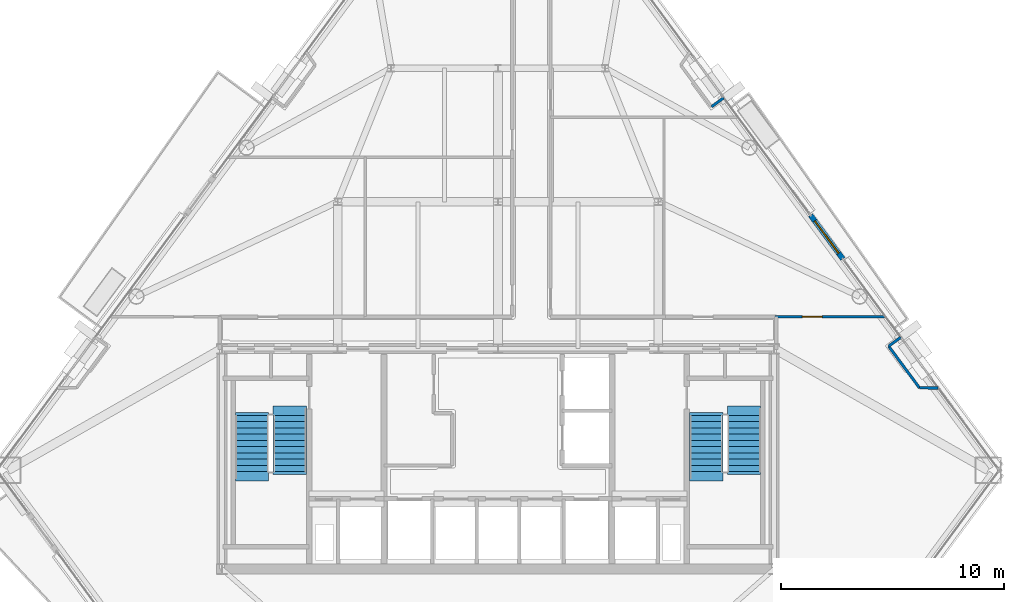
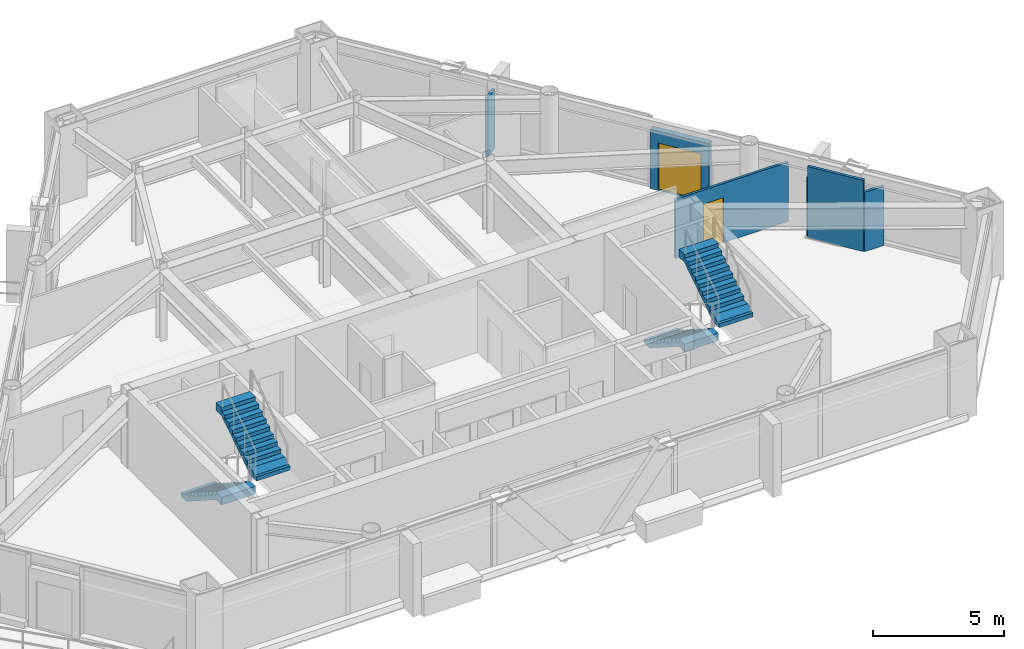
# One storey, part 9 of 11: 6 walls, 4 stair flights, 2 doors, 2 openings, 2 elements without a shape of their own.
"""IFC4 building model written with IfcOpenShell, lengths in metres."""

from ifc_helpers import new_model, si_unit, direction, frame, frame_2d, origin, place, context, subcontext, project, spatial, polyline, rectangle, outline, extrude, material, layer, layer_set, type_object, element, fill, aggregate, save


model = new_model("IFC4")

# Units and contexts
model_context = context("Model", 3, precision=1e-05, world=origin(), true_north=direction((0.0, 1.0)))
body_context = subcontext(model_context, "Body", "Model", "MODEL_VIEW")
ifc_project = project(units=[si_unit("LENGTHUNIT", "METRE"), si_unit("AREAUNIT", "SQUARE_METRE"), si_unit("VOLUMEUNIT", "CUBIC_METRE"), si_unit("PLANEANGLEUNIT", "RADIAN"), si_unit("MASSUNIT", "GRAM", prefix="KILO")], contexts=[model_context])

# Site, building, storey
site_placement = place(None, origin())
site = spatial("IfcSite", under=ifc_project, at=site_placement, CompositionType="ELEMENT")
building_placement = place(site_placement, origin())
building = spatial("IfcBuilding", under=site, at=building_placement, Name="Talgorran Terracotta Tower", CompositionType="ELEMENT")
storey_placement = place(building_placement, frame((0.0, 0.0, 114.0)))
storey = spatial("IfcBuildingStorey", under=building, at=storey_placement, Name="L29", CompositionType="ELEMENT", Elevation=114.0)

# Wall, opening, door
ifc_material_1 = material(Name="Concrete C40/50", Category="concrete")
ifc_layer_1 = layer(ifc_material_1, 0.239990234375, Name="WT_BALCONY_SPAND")
ifc_layer_set_1 = layer_set([ifc_layer_1], Name="Concrete C40/50")
wall_type_1 = type_object("IfcWallType", Name="WT_BALCONY_SPAND", PredefinedType="STANDARD", material=ifc_layer_set_1)
wall_1_placement = place(storey_placement, frame((15.492919921875, -0.166259765625, -0.014892578125), z_axis=(0.0, 0.0, 1.0), x_axis=(-0.594655490218, 0.803980626603, 0.0)))
wall_1 = element("IfcWall", 1, at=wall_1_placement, inside=storey, type_object=wall_type_1, Name="WL-L29-BALP-BAL-NE", PredefinedType="STANDARD", context=body_context, shape_type="SweptSolid", body=[
    extrude(rectangle(XDim=2.43994140625, YDim=0.239990234375, at=frame_2d((1.219970703125, 0.0))), origin(), (0.0, 0.0, 1.0), 2.77685546875),
])
opening_1_placement = place(wall_1_placement, frame((0.320068359375, 0.0, 0.014892578125)))
opening_1 = element("IfcOpeningElement", 2, at=opening_1_placement, cuts=wall_1, Name="Opening D-BAL-L29-1", PredefinedType="OPENING", context=body_context, shape_type="SweptSolid", body=[
    extrude(rectangle(XDim=1.806048828125, YDim=2.203951171875, at=frame_2d((0.89990234375, 1.10205078125))), frame((0.0, 0.1298828125, 0.0), z_axis=(0.0, -1.0, 0.0), x_axis=(1.0, 0.0, 0.0)), (0.0, 0.0, 1.0), 0.260009765625),
])
ifc_material_2 = material(Name="Thermally Broken Aluminium", Category="aluminium")
door_type_1 = type_object("IfcDoorType", Name="DT_BALC_1800", OperationType="SLIDING_TO_LEFT", PredefinedType="DOOR", material=ifc_material_2)
door_1_placement = place(opening_1_placement, origin())
door_1 = element("IfcDoor", 3, at=door_1_placement, inside=storey, type_object=door_type_1, Name="DR-L29-BAL-BAL-NE", OperationType="SLIDING_TO_LEFT", OverallHeight=2.199951171875, OverallWidth=1.800048828125, PredefinedType="DOOR", context=body_context, shape_type="SweptSolid", body=[
    extrude(rectangle(XDim=1.800048828125, YDim=2.199951171875, at=frame_2d((0.89990234375, 1.10009765625))), frame((0.0, 0.02490234375, 0.0), z_axis=(0.0, -1.0, 0.0), x_axis=(1.0, 0.0, 0.0)), (0.0, 0.0, 1.0), 0.050048828125),
])
fill(opening_1, door_1)

ifc_material_3 = material(Name="Lightweight Steel Stud Partition", Category="steel")
ifc_layer_2 = layer(ifc_material_3, 0.10498046875, Name="WT_PART_110")
ifc_layer_set_2 = layer_set([ifc_layer_2], Name="Lightweight Steel Stud Partition")
wall_type_2 = type_object("IfcWallType", Name="WT_PART_110", PredefinedType="PARTITIONING", material=ifc_layer_set_2)
wall_2_placement = place(storey_placement, frame((12.43994140625, -2.760009765625, 0.0), z_axis=(0.0, 0.0, 1.0), x_axis=(1.0, 0.0, 0.0)))
wall_2 = element("IfcWall", 4, at=wall_2_placement, inside=storey, type_object=wall_type_2, Name="WL-L29-W-L29-R20", PredefinedType="PARTITIONING", context=body_context, shape_type="SweptSolid", body=[
    extrude(rectangle(XDim=4.971435546875, YDim=0.10498046875, at=frame_2d((2.48583984375, 0.0))), origin(), (0.0, 0.0, 1.0), 2.761962890625),
])
opening_2_placement = place(wall_2_placement, frame((1.237548828125, 0.0, 0.0)))
opening_2 = element("IfcOpeningElement", 5, at=opening_2_placement, cuts=wall_2, Name="Opening DR-L29-R08", PredefinedType="OPENING", context=body_context, shape_type="SweptSolid", body=[
    extrude(rectangle(XDim=0.8858828125, YDim=2.10409765625, at=frame_2d((0.43994140625, 1.052001953125))), frame((0.0, 0.0625, 0.0), z_axis=(0.0, -1.0, 0.0), x_axis=(1.0, 0.0, 0.0)), (0.0, 0.0, 1.0), 0.125),
])
ifc_material_4 = material(Name="Solid-Core Painted Timber", Category="wood")
door_type_2 = type_object("IfcDoorType", Name="DT_INT_880", OperationType="NOTDEFINED", PredefinedType="DOOR", material=ifc_material_4)
door_2_placement = place(opening_2_placement, origin())
door_2 = element("IfcDoor", 6, at=door_2_placement, inside=storey, type_object=door_type_2, Name="DR-L29-R08", OperationType="SINGLE_SWING_RIGHT", OverallHeight=2.10009765625, OverallWidth=0.8798828125, PredefinedType="DOOR", context=body_context, shape_type="SweptSolid", body=[
    extrude(rectangle(XDim=0.8798828125, YDim=2.10009765625, at=frame_2d((0.43994140625, 1.050048828125))), frame((0.0, 0.02490234375, 0.0), z_axis=(0.0, -1.0, 0.0), x_axis=(1.0, 0.0, 0.0)), (0.0, 0.0, 1.0), 0.050048828125),
])
fill(opening_2, door_2)

# Walls
ifc_material_5 = material(Name="Insulated Steel Stud Plasterboard", Category="steel")
ifc_layer_3 = layer(ifc_material_5, 0.1201171875, Name="WT_PART_120")
ifc_layer_set_3 = layer_set([ifc_layer_3], Name="Insulated Steel Stud Plasterboard")
wall_type_3 = type_object("IfcWallType", Name="WT_PART_120", PredefinedType="PARTITIONING", material=ifc_layer_set_3)
wall_3_placement = place(storey_placement, frame((18.9296875, -5.956298828125, 0.0), z_axis=(0.0, 0.0, 1.0), x_axis=(-0.594707185977, 0.803942387829, 0.0)))
element("IfcWall", 7, at=wall_3_placement, inside=storey, type_object=wall_type_3, Name="WL-L29-BW-L29-13", PredefinedType="PARTITIONING", context=body_context, shape_type="SweptSolid", body=[
    extrude(rectangle(XDim=2.3232421875, YDim=0.1201171875, at=frame_2d((1.16162109375, 0.0))), origin(), (0.0, 0.0, 1.0), 3.320068359375),
])
wall_4_placement = place(storey_placement, frame((19.771484375, -5.968017578125, 0.0), z_axis=(0.0, 0.0, 1.0), x_axis=(-0.999903115379, 0.013919764947, 0.0)))
element("IfcWall", 8, at=wall_4_placement, inside=storey, type_object=wall_type_3, Name="WL-L29-BW-L29-12", PredefinedType="PARTITIONING", context=body_context, shape_type="SweptSolid", body=[
    extrude(rectangle(XDim=0.841796875, YDim=0.1201171875, at=frame_2d((0.4208984375, 0.0))), origin(), (0.0, 0.0, 1.0), 2.761962890625),
])
wall_5_placement = place(storey_placement, frame((17.548095703125, -4.088623046875, 0.0), z_axis=(0.0, 0.0, 1.0), x_axis=(0.804047409182, 0.594565188847, 0.0)))
element("IfcWall", 9, at=wall_5_placement, inside=storey, type_object=wall_type_3, Name="WL-L29-BW-L29-11", PredefinedType="PARTITIONING", context=body_context, shape_type="SweptSolid", body=[
    extrude(rectangle(XDim=0.670166015625, YDim=0.1201171875, at=frame_2d((0.3349609375, 0.0))), origin(), (0.0, 0.0, 1.0), 2.761962890625),
])
wall_6_placement = place(storey_placement, frame((10.131591796875, 7.06591796875, 0.0), z_axis=(0.0, 0.0, 1.0), x_axis=(-0.803918563719, -0.594739390748, 0.0)))
element("IfcWall", 10, at=wall_6_placement, inside=storey, type_object=wall_type_3, Name="WL-L29-BW-L29-17", PredefinedType="PARTITIONING", context=body_context, shape_type="SweptSolid", body=[
    extrude(rectangle(XDim=0.669921875, YDim=0.1201171875, at=frame_2d((0.3349609375, 0.0))), origin(), (0.0, 0.0, 1.0), 2.761962890625),
])

# Stair, stair flights
stair_type = type_object("IfcStairType", Name="ST_FIRE_SCISSOR", PredefinedType="HALF_TURN_STAIR", material=ifc_material_1)
stair_1_placement = place(storey_placement, origin())
stair_1 = element("IfcStair", 11, at=stair_1_placement, inside=storey, type_object=stair_type, Name="L29 West Protected Fire Stair ST-01", PredefinedType="HALF_TURN_STAIR")
ifc_layer_4 = layer(ifc_material_1, 0.179931640625, Name="STF_RC_1500")
ifc_layer_set_4 = layer_set([ifc_layer_4], Name="Concrete C40/50")
stair_flight_type = type_object("IfcStairFlightType", Name="STF_RC_1500", PredefinedType="STRAIGHT", material=ifc_layer_set_4)
stair_flight_1_placement = place(storey_placement, frame((-11.050048828125, -7.199951171875, 0.0), z_axis=(0.0, 0.0, 1.0), x_axis=(0.0, -1.0, 0.0)))
stair_flight_1 = element("IfcStairFlight", 12, at=stair_flight_1_placement, type_object=stair_flight_type, Name="ST-01 flight 1", NumberOfRisers=10, NumberOfTreads=9, PredefinedType="STRAIGHT", RiserHeight=0.18, TreadLength=0.28, context=body_context, shape_type="SweptSolid", body=[
    extrude(outline(polyline([(-0.139892578125, 0.0), (-0.139892578125, 0.179931640625), (0.0, 0.179931640625), (0.280029296875, 0.360107421875), (0.56005859375, 0.360107421875), (0.56005859375, 0.5400390625), (0.840087890625, 0.5400390625), (0.840087890625, 0.719970703125), (1.1201171875, 0.719970703125), (1.1201171875, 0.89990234375), (1.39990234375, 0.89990234375), (1.39990234375, 1.080078125), (1.679931640625, 1.080078125), (1.679931640625, 1.260009765625), (1.9599609375, 1.260009765625), (1.9599609375, 1.43994140625), (2.239990234375, 1.43994140625), (2.239990234375, 1.6201171875), (2.52001953125, 1.6201171875), (2.52001953125, 1.800048828125), (2.93994140625, 1.800048828125), (2.93994140625, 1.44189453125), (2.52001953125, 1.44189453125), (0.277099609375, 0.0), (-0.139892578125, 0.0)])), frame((0.0, 0.75, 0.0), z_axis=(0.0, -1.0, 0.0), x_axis=(1.0, 0.0, 0.0)), (0.0, 0.0, 1.0), 1.5),
])
stair_flight_2_placement = place(storey_placement, frame((-9.35009765625, -9.719970703125, 1.800048828125), z_axis=(0.0, 0.0, 1.0), x_axis=(0.0, 1.0, 0.0)))
stair_flight_2 = element("IfcStairFlight", 13, at=stair_flight_2_placement, type_object=stair_flight_type, Name="ST-01 flight 2", NumberOfRisers=10, NumberOfTreads=9, PredefinedType="STRAIGHT", RiserHeight=0.18, TreadLength=0.28, context=body_context, shape_type="SweptSolid", body=[
    extrude(outline(polyline([(-0.139892578125, 0.0), (-0.139892578125, 0.179931640625), (0.0, 0.179931640625), (0.280029296875, 0.360107421875), (0.56005859375, 0.360107421875), (0.56005859375, 0.5400390625), (0.840087890625, 0.5400390625), (0.840087890625, 0.719970703125), (1.1201171875, 0.719970703125), (1.1201171875, 0.89990234375), (1.39990234375, 0.89990234375), (1.39990234375, 1.080078125), (1.679931640625, 1.080078125), (1.679931640625, 1.260009765625), (1.9599609375, 1.260009765625), (1.9599609375, 1.43994140625), (2.239990234375, 1.43994140625), (2.239990234375, 1.6201171875), (2.52001953125, 1.6201171875), (2.52001953125, 1.800048828125), (2.93994140625, 1.800048828125), (2.93994140625, 1.44189453125), (2.52001953125, 1.44189453125), (0.277099609375, 0.0), (-0.139892578125, 0.0)])), frame((0.0, 0.75, 0.0), z_axis=(0.0, -1.0, 0.0), x_axis=(1.0, 0.0, 0.0)), (0.0, 0.0, 1.0), 1.5),
])
aggregate(stair_1, [stair_flight_1, stair_flight_2])

stair_2_placement = place(storey_placement, origin())
stair_2 = element("IfcStair", 14, at=stair_2_placement, inside=storey, type_object=stair_type, Name="L29 East Protected Fire Stair ST-02", PredefinedType="HALF_TURN_STAIR")
stair_flight_3_placement = place(storey_placement, frame((9.35009765625, -7.199951171875, 0.0), z_axis=(0.0, 0.0, 1.0), x_axis=(0.0, -1.0, 0.0)))
stair_flight_3 = element("IfcStairFlight", 15, at=stair_flight_3_placement, type_object=stair_flight_type, Name="ST-02 flight 1", NumberOfRisers=10, NumberOfTreads=9, PredefinedType="STRAIGHT", RiserHeight=0.18, TreadLength=0.28, context=body_context, shape_type="SweptSolid", body=[
    extrude(outline(polyline([(-0.139892578125, 0.0), (-0.139892578125, 0.179931640625), (0.0, 0.179931640625), (0.280029296875, 0.360107421875), (0.56005859375, 0.360107421875), (0.56005859375, 0.5400390625), (0.840087890625, 0.5400390625), (0.840087890625, 0.719970703125), (1.1201171875, 0.719970703125), (1.1201171875, 0.89990234375), (1.39990234375, 0.89990234375), (1.39990234375, 1.080078125), (1.679931640625, 1.080078125), (1.679931640625, 1.260009765625), (1.9599609375, 1.260009765625), (1.9599609375, 1.43994140625), (2.239990234375, 1.43994140625), (2.239990234375, 1.6201171875), (2.52001953125, 1.6201171875), (2.52001953125, 1.800048828125), (2.93994140625, 1.800048828125), (2.93994140625, 1.44189453125), (2.52001953125, 1.44189453125), (0.277099609375, 0.0), (-0.139892578125, 0.0)])), frame((0.0, 0.75, 0.0), z_axis=(0.0, -1.0, 0.0), x_axis=(1.0, 0.0, 0.0)), (0.0, 0.0, 1.0), 1.5),
])
stair_flight_4_placement = place(storey_placement, frame((11.050048828125, -9.719970703125, 1.800048828125), z_axis=(0.0, 0.0, 1.0), x_axis=(0.0, 1.0, 0.0)))
stair_flight_4 = element("IfcStairFlight", 16, at=stair_flight_4_placement, type_object=stair_flight_type, Name="ST-02 flight 2", NumberOfRisers=10, NumberOfTreads=9, PredefinedType="STRAIGHT", RiserHeight=0.18, TreadLength=0.28, context=body_context, shape_type="SweptSolid", body=[
    extrude(outline(polyline([(-0.139892578125, 0.0), (-0.139892578125, 0.179931640625), (0.0, 0.179931640625), (0.280029296875, 0.360107421875), (0.56005859375, 0.360107421875), (0.56005859375, 0.5400390625), (0.840087890625, 0.5400390625), (0.840087890625, 0.719970703125), (1.1201171875, 0.719970703125), (1.1201171875, 0.89990234375), (1.39990234375, 0.89990234375), (1.39990234375, 1.080078125), (1.679931640625, 1.080078125), (1.679931640625, 1.260009765625), (1.9599609375, 1.260009765625), (1.9599609375, 1.43994140625), (2.239990234375, 1.43994140625), (2.239990234375, 1.6201171875), (2.52001953125, 1.6201171875), (2.52001953125, 1.800048828125), (2.93994140625, 1.800048828125), (2.93994140625, 1.44189453125), (2.52001953125, 1.44189453125), (0.277099609375, 0.0), (-0.139892578125, 0.0)])), frame((0.0, 0.75, 0.0), z_axis=(0.0, -1.0, 0.0), x_axis=(1.0, 0.0, 0.0)), (0.0, 0.0, 1.0), 1.5),
])
aggregate(stair_2, [stair_flight_3, stair_flight_4])

save(model, "model.ifc")
